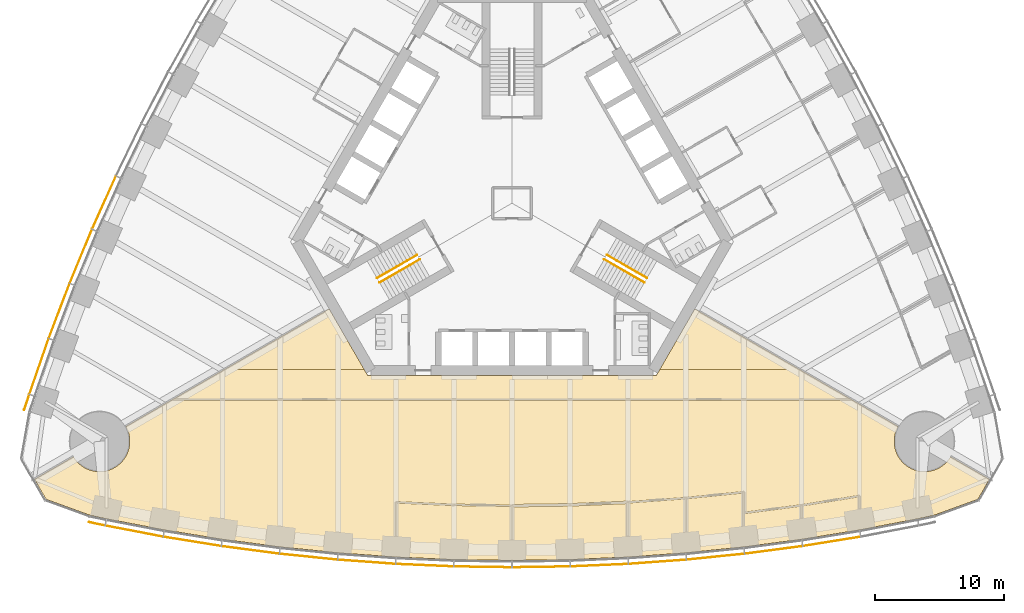
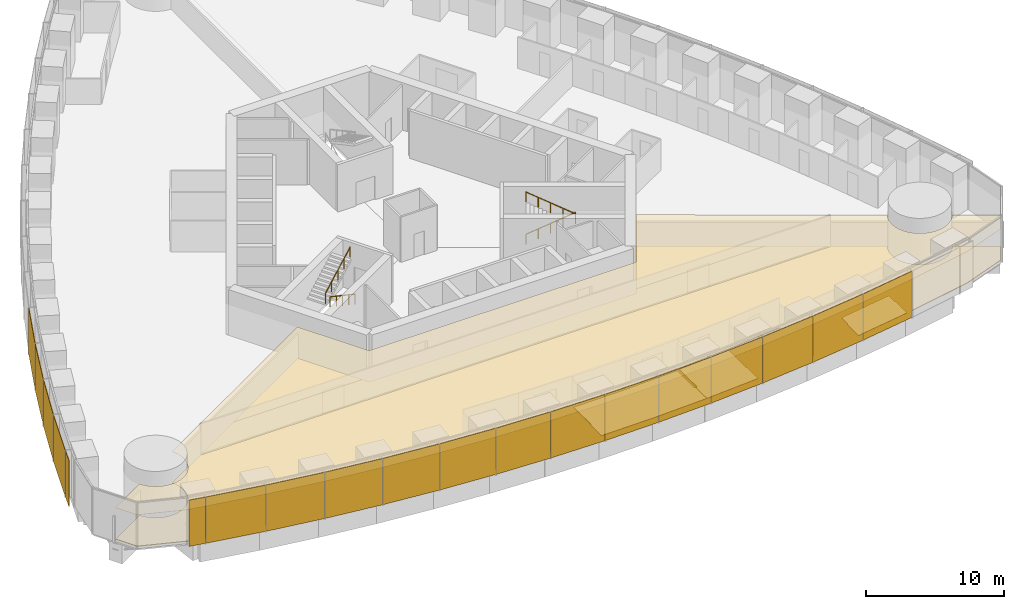
# One storey, part 15 of 19: 19 shading devices, 11 coverings, 4 railings.
"""IFC4 building model written with IfcOpenShell, lengths in metres."""

from ifc_helpers import new_model, si_unit, direction, frame, origin, origin_2d, place, context, subcontext, project, spatial, polyline, rectangle, circle, outline, extrude, material, layer, layer_set, type_object, element, save


model = new_model("IFC4")

# Units and contexts
model_context = context("Model", 3, precision=1e-05, world=origin(), true_north=direction((0.0, 1.0)))
body_context = subcontext(model_context, "Body", "Model", "MODEL_VIEW")
ifc_project = project(units=[si_unit("LENGTHUNIT", "METRE"), si_unit("AREAUNIT", "SQUARE_METRE"), si_unit("VOLUMEUNIT", "CUBIC_METRE"), si_unit("PLANEANGLEUNIT", "RADIAN"), si_unit("MASSUNIT", "GRAM", prefix="KILO")], contexts=[model_context])

# Site, building, storey
site_placement = place(None, origin())
site = spatial("IfcSite", under=ifc_project, at=site_placement, CompositionType="ELEMENT")
building_placement = place(site_placement, origin())
building = spatial("IfcBuilding", under=site, at=building_placement, Name="Trefoil Bronze Tower", CompositionType="ELEMENT")
storey_placement = place(building_placement, frame((0.0, 0.0, 83.699951171875)))
storey = spatial("IfcBuildingStorey", under=building, at=storey_placement, Name="L19", CompositionType="ELEMENT", Elevation=83.699951171875)

# Shading devices
ifc_material_1 = material(Name="Perforated bronze sheet", Category="bronze")
ifc_layer_1 = layer(ifc_material_1, 0.0400390625)
ifc_layer_set_1 = layer_set([ifc_layer_1], Name="Bronze solar screen panel")
shading_device_type = type_object("IfcShadingDeviceType", Name="Bronze solar screen panel", PredefinedType="SHUTTER", material=ifc_layer_set_1)
shading_device_1_placement = place(storey_placement, frame((-32.2431640625, -24.91064453125, 0.050048828125), z_axis=(0.0, 0.0, 1.0), x_axis=(0.978302717041, -0.207180582657, 0.0)))
element("IfcShadingDevice", 1, at=shading_device_1_placement, inside=storey, type_object=shading_device_type, Name="Solar screen CW-A L19 F1 bay 1", PredefinedType="SHUTTER", context=body_context, shape_type="SweptSolid", body=[
    extrude(rectangle(XDim=1.260498046875, YDim=0.0400390625, at=origin_2d()), origin(), (0.0, 0.0, 1.0), 4.10009765625),
])
shading_device_2_placement = place(storey_placement, frame((-29.351806640625, -25.478515625, 0.050048828125), z_axis=(0.0, 0.0, 1.0), x_axis=(0.982049823817, -0.188621694249, 0.0)))
element("IfcShadingDevice", 2, at=shading_device_2_placement, inside=storey, type_object=shading_device_type, Name="Solar screen CW-A L19 F1 bay 2", PredefinedType="SHUTTER", context=body_context, shape_type="SweptSolid", body=[
    extrude(rectangle(XDim=4.55224609375, YDim=0.0400390625, at=origin_2d()), origin(), (0.0, 0.0, 1.0), 4.10009765625),
])
shading_device_3_placement = place(storey_placement, frame((-24.836181640625, -26.277099609375, 0.050048828125), z_axis=(0.0, 0.0, 1.0), x_axis=(0.987181315145, -0.159602791421, 0.0)))
element("IfcShadingDevice", 3, at=shading_device_3_placement, inside=storey, type_object=shading_device_type, Name="Solar screen CW-A L19 F1 bay 3", PredefinedType="SHUTTER", context=body_context, shape_type="SweptSolid", body=[
    extrude(rectangle(XDim=4.5283203125, YDim=0.0400390625, at=origin_2d()), origin(), (0.0, 0.0, 1.0), 4.10009765625),
])
shading_device_4_placement = place(storey_placement, frame((-20.320556640625, -26.939697265625, 0.050048828125), z_axis=(0.0, 0.0, 1.0), x_axis=(0.991437251591, -0.130583981243, 0.0)))
element("IfcShadingDevice", 4, at=shading_device_4_placement, inside=storey, type_object=shading_device_type, Name="Solar screen CW-A L19 F1 bay 4", PredefinedType="SHUTTER", context=body_context, shape_type="SweptSolid", body=[
    extrude(rectangle(XDim=4.5087890625, YDim=0.0400390625, at=origin_2d()), origin(), (0.0, 0.0, 1.0), 4.10009765625),
])
shading_device_5_placement = place(storey_placement, frame((-15.804931640625, -27.467529296875, 0.050048828125), z_axis=(0.0, 0.0, 1.0), x_axis=(0.994828880293, -0.101565244717, 0.0)))
element("IfcShadingDevice", 5, at=shading_device_5_placement, inside=storey, type_object=shading_device_type, Name="Solar screen CW-A L19 F1 bay 5", PredefinedType="SHUTTER", context=body_context, shape_type="SweptSolid", body=[
    extrude(rectangle(XDim=4.493408203125, YDim=0.0400390625, at=origin_2d()), origin(), (0.0, 0.0, 1.0), 4.10009765625),
])
shading_device_6_placement = place(storey_placement, frame((-11.2890625, -27.8623046875, 0.050048828125), z_axis=(0.0, 0.0, 1.0), x_axis=(0.99736502647, -0.072546564177, 0.0)))
element("IfcShadingDevice", 6, at=shading_device_6_placement, inside=storey, type_object=shading_device_type, Name="Solar screen CW-A L19 F1 bay 6", PredefinedType="SHUTTER", context=body_context, shape_type="SweptSolid", body=[
    extrude(rectangle(XDim=4.48193359375, YDim=0.0400390625, at=origin_2d()), origin(), (0.0, 0.0, 1.0), 4.10009765625),
])
shading_device_7_placement = place(storey_placement, frame((-6.7734375, -28.124755859375, 0.050048828125), z_axis=(0.0, 0.0, 1.0), x_axis=(0.999052210809, -0.043527922969, 0.0)))
element("IfcShadingDevice", 7, at=shading_device_7_placement, inside=storey, type_object=shading_device_type, Name="Solar screen CW-A L19 F1 bay 7", PredefinedType="SHUTTER", context=body_context, shape_type="SweptSolid", body=[
    extrude(rectangle(XDim=4.474365234375, YDim=0.0400390625, at=origin_2d()), origin(), (0.0, 0.0, 1.0), 4.10009765625),
])
for number, where, z_axis, x_axis, name in (
    (8, (-2.2578125, -28.256103515625, 0.050048828125), (0.0, 0.0, 1.0), (0.999894734493, -0.014509305083, 0.0), "Solar screen CW-A L19 F1 bay 8"),
    (9, (2.2578125, -28.256103515625, 0.050048828125), (0.0, 0.0, 1.0), (0.999894734493, 0.014509305083, 0.0), "Solar screen CW-A L19 F1 bay 9"),
):
    element("IfcShadingDevice", number, at=place(storey_placement, frame(where, z_axis=z_axis, x_axis=x_axis)), inside=storey, type_object=shading_device_type, Name=name, PredefinedType="SHUTTER", context=body_context, shape_type="SweptSolid", body=[
        extrude(rectangle(XDim=4.470458984375, YDim=0.0400390625, at=origin_2d()), origin(), (0.0, 0.0, 1.0), 4.10009765625),
    ])
shading_device_8_placement = place(storey_placement, frame((6.7734375, -28.124755859375, 0.050048828125), z_axis=(0.0, 0.0, 1.0), x_axis=(0.999052210809, 0.043527922969, 0.0)))
element("IfcShadingDevice", 10, at=shading_device_8_placement, inside=storey, type_object=shading_device_type, Name="Solar screen CW-A L19 F1 bay 10", PredefinedType="SHUTTER", context=body_context, shape_type="SweptSolid", body=[
    extrude(rectangle(XDim=4.474365234375, YDim=0.0400390625, at=origin_2d()), origin(), (0.0, 0.0, 1.0), 4.10009765625),
])
shading_device_9_placement = place(storey_placement, frame((11.2890625, -27.8623046875, 0.050048828125), z_axis=(0.0, 0.0, 1.0), x_axis=(0.99736502647, 0.072546564177, 0.0)))
element("IfcShadingDevice", 11, at=shading_device_9_placement, inside=storey, type_object=shading_device_type, Name="Solar screen CW-A L19 F1 bay 11", PredefinedType="SHUTTER", context=body_context, shape_type="SweptSolid", body=[
    extrude(rectangle(XDim=4.48193359375, YDim=0.0400390625, at=origin_2d()), origin(), (0.0, 0.0, 1.0), 4.10009765625),
])
shading_device_10_placement = place(storey_placement, frame((15.804931640625, -27.467529296875, 0.050048828125), z_axis=(0.0, 0.0, 1.0), x_axis=(0.994828880293, 0.101565244717, 0.0)))
element("IfcShadingDevice", 12, at=shading_device_10_placement, inside=storey, type_object=shading_device_type, Name="Solar screen CW-A L19 F1 bay 12", PredefinedType="SHUTTER", context=body_context, shape_type="SweptSolid", body=[
    extrude(rectangle(XDim=4.493408203125, YDim=0.0400390625, at=origin_2d()), origin(), (0.0, 0.0, 1.0), 4.10009765625),
])
shading_device_11_placement = place(storey_placement, frame((20.320556640625, -26.939697265625, 0.050048828125), z_axis=(0.0, 0.0, 1.0), x_axis=(0.991437251591, 0.130583981243, 0.0)))
element("IfcShadingDevice", 13, at=shading_device_11_placement, inside=storey, type_object=shading_device_type, Name="Solar screen CW-A L19 F1 bay 13", PredefinedType="SHUTTER", context=body_context, shape_type="SweptSolid", body=[
    extrude(rectangle(XDim=4.5087890625, YDim=0.0400390625, at=origin_2d()), origin(), (0.0, 0.0, 1.0), 4.10009765625),
])
shading_device_12_placement = place(storey_placement, frame((24.836181640625, -26.277099609375, 0.050048828125), z_axis=(0.0, 0.0, 1.0), x_axis=(0.987181315145, 0.159602791421, 0.0)))
element("IfcShadingDevice", 14, at=shading_device_12_placement, inside=storey, type_object=shading_device_type, Name="Solar screen CW-A L19 F1 bay 14", PredefinedType="SHUTTER", context=body_context, shape_type="SweptSolid", body=[
    extrude(rectangle(XDim=4.5283203125, YDim=0.0400390625, at=origin_2d()), origin(), (0.0, 0.0, 1.0), 4.10009765625),
])
shading_device_13_placement = place(storey_placement, frame((-31.68994140625, 0.04638671875, 0.050048828125), z_axis=(0.0, 0.0, 1.0), x_axis=(-0.40945635808, -0.912329705111, 0.0)))
element("IfcShadingDevice", 15, at=shading_device_13_placement, inside=storey, type_object=shading_device_type, Name="Solar screen CW-A L19 F3 bay 12", PredefinedType="SHUTTER", context=body_context, shape_type="SweptSolid", body=[
    extrude(rectangle(XDim=4.493408203125, YDim=0.0400390625, at=origin_2d()), origin(), (0.0, 0.0, 1.0), 4.10009765625),
])
shading_device_14_placement = place(storey_placement, frame((-33.49072265625, -4.128173828125, 0.050048828125), z_axis=(0.0, 0.0, 1.0), x_axis=(-0.382629580712, -0.923901836758, 0.0)))
element("IfcShadingDevice", 16, at=shading_device_14_placement, inside=storey, type_object=shading_device_type, Name="Solar screen CW-A L19 F3 bay 13", PredefinedType="SHUTTER", context=body_context, shape_type="SweptSolid", body=[
    extrude(rectangle(XDim=4.5087890625, YDim=0.0400390625, at=origin_2d()), origin(), (0.0, 0.0, 1.0), 4.10009765625),
])
shading_device_15_placement = place(storey_placement, frame((-35.1748046875, -8.3701171875, 0.050048828125), z_axis=(0.0, 0.0, 1.0), x_axis=(-0.355370585687, -0.934725492767, 0.0)))
element("IfcShadingDevice", 17, at=shading_device_15_placement, inside=storey, type_object=shading_device_type, Name="Solar screen CW-A L19 F3 bay 14", PredefinedType="SHUTTER", context=body_context, shape_type="SweptSolid", body=[
    extrude(rectangle(XDim=4.5283203125, YDim=0.0400390625, at=origin_2d()), origin(), (0.0, 0.0, 1.0), 4.10009765625),
])
shading_device_16_placement = place(storey_placement, frame((-36.740966796875, -12.68017578125, 0.050048828125), z_axis=(0.0, 0.0, 1.0), x_axis=(-0.327673732984, -0.944790942332, 0.0)))
element("IfcShadingDevice", 18, at=shading_device_16_placement, inside=storey, type_object=shading_device_type, Name="Solar screen CW-A L19 F3 bay 15", PredefinedType="SHUTTER", context=body_context, shape_type="SweptSolid", body=[
    extrude(rectangle(XDim=4.55224609375, YDim=0.0400390625, at=origin_2d()), origin(), (0.0, 0.0, 1.0), 4.10009765625),
])
shading_device_17_placement = place(storey_placement, frame((-37.69482421875, -15.468017578125, 0.050048828125), z_axis=(0.0, 0.0, 1.0), x_axis=(-0.309727710769, -0.950825296877, 0.0)))
element("IfcShadingDevice", 19, at=shading_device_17_placement, inside=storey, type_object=shading_device_type, Name="Solar screen CW-A L19 F3 bay 16", PredefinedType="SHUTTER", context=body_context, shape_type="SweptSolid", body=[
    extrude(rectangle(XDim=1.260498046875, YDim=0.0400390625, at=origin_2d()), origin(), (0.0, 0.0, 1.0), 4.10009765625),
])

# Railings
ifc_material_2 = material(Name="Steel handrail", Category="steel")
railing_type = type_object("IfcRailingType", Name="Handrail 900", PredefinedType="HANDRAIL", material=ifc_material_2)
railing_1_placement = place(storey_placement, frame((7.365966796875, -4.021728515625, 0.16162109375)))
element("IfcRailing", 20, at=railing_1_placement, inside=storey, type_object=railing_type, Name="Handrail ST1 flight 1 L19", PredefinedType="HANDRAIL", context=body_context, shape_type="SweptSolid", body=[
    extrude(circle(Radius=0.02392578125, at=origin_2d()), frame((0.0, 0.0, 0.8759765625), z_axis=(0.76250339821, -0.440245697338, 0.474101564745), x_axis=(0.500012057535, 0.866018442252, 0.0)), (0.0, 0.0, 1.0), 4.088623046875),
    extrude(circle(Radius=0.02099609375, at=origin_2d()), origin(), (0.0, 0.0, 1.0), 0.851806640625),
    extrude(circle(Radius=0.02099609375, at=origin_2d()), frame((0.779296875, -0.449951171875, 0.484619140625)), (0.0, 0.0, 1.0), 0.851806640625),
    extrude(circle(Radius=0.02099609375, at=origin_2d()), frame((1.558837890625, -0.89990234375, 0.96923828125)), (0.0, 0.0, 1.0), 0.851806640625),
    extrude(circle(Radius=0.02099609375, at=origin_2d()), frame((2.33837890625, -1.35009765625, 1.453857421875)), (0.0, 0.0, 1.0), 0.851806640625),
    extrude(circle(Radius=0.02099609375, at=origin_2d()), frame((3.11767578125, -1.800048828125, 1.9384765625)), (0.0, 0.0, 1.0), 0.851806640625),
])
railing_2_placement = place(storey_placement, frame((10.28369140625, -6.168212890625, 2.261474609375)))
element("IfcRailing", 21, at=railing_2_placement, inside=storey, type_object=railing_type, Name="Handrail ST1 flight 2 L19", PredefinedType="HANDRAIL", context=body_context, shape_type="SweptSolid", body=[
    extrude(circle(Radius=0.02392578125, at=origin_2d()), frame((0.0, 0.0, 0.8759765625), z_axis=(-0.76250339821, 0.440245697338, 0.474101564745), x_axis=(-0.500012057535, -0.866018442252, 0.0)), (0.0, 0.0, 1.0), 4.088623046875),
    extrude(circle(Radius=0.02099609375, at=origin_2d()), origin(), (0.0, 0.0, 1.0), 0.851806640625),
    extrude(circle(Radius=0.02099609375, at=origin_2d()), frame((-0.779296875, 0.449951171875, 0.484619140625)), (0.0, 0.0, 1.0), 0.851806640625),
    extrude(circle(Radius=0.02099609375, at=origin_2d()), frame((-1.558837890625, 0.89990234375, 0.96923828125)), (0.0, 0.0, 1.0), 0.851806640625),
    extrude(circle(Radius=0.02099609375, at=origin_2d()), frame((-2.33837890625, 1.35009765625, 1.453857421875)), (0.0, 0.0, 1.0), 0.851806640625),
    extrude(circle(Radius=0.02099609375, at=origin_2d()), frame((-3.11767578125, 1.800048828125, 1.9384765625)), (0.0, 0.0, 1.0), 0.851806640625),
])
railing_3_placement = place(storey_placement, frame((-7.166015625, -4.3681640625, 0.16162109375)))
element("IfcRailing", 22, at=railing_3_placement, inside=storey, type_object=railing_type, Name="Handrail ST3 flight 1 L19", PredefinedType="HANDRAIL", context=body_context, shape_type="SweptSolid", body=[
    extrude(circle(Radius=0.02392578125, at=origin_2d()), frame((0.0, 0.0, 0.8759765625), z_axis=(-0.76250339821, -0.440245697338, 0.474101564745), x_axis=(0.500012057535, -0.866018442252, 0.0)), (0.0, 0.0, 1.0), 4.088623046875),
    extrude(circle(Radius=0.02099609375, at=origin_2d()), origin(), (0.0, 0.0, 1.0), 0.851806640625),
    extrude(circle(Radius=0.02099609375, at=origin_2d()), frame((-0.779296875, -0.449951171875, 0.484619140625)), (0.0, 0.0, 1.0), 0.851806640625),
    extrude(circle(Radius=0.02099609375, at=origin_2d()), frame((-1.558837890625, -0.89990234375, 0.96923828125)), (0.0, 0.0, 1.0), 0.851806640625),
    extrude(circle(Radius=0.02099609375, at=origin_2d()), frame((-2.33837890625, -1.35009765625, 1.453857421875)), (0.0, 0.0, 1.0), 0.851806640625),
    extrude(circle(Radius=0.02099609375, at=origin_2d()), frame((-3.11767578125, -1.800048828125, 1.9384765625)), (0.0, 0.0, 1.0), 0.851806640625),
])
railing_4_placement = place(storey_placement, frame((-10.483642578125, -5.82177734375, 2.261474609375)))
element("IfcRailing", 23, at=railing_4_placement, inside=storey, type_object=railing_type, Name="Handrail ST3 flight 2 L19", PredefinedType="HANDRAIL", context=body_context, shape_type="SweptSolid", body=[
    extrude(circle(Radius=0.02392578125, at=origin_2d()), frame((0.0, 0.0, 0.8759765625), z_axis=(0.76250339821, 0.440245697338, 0.474101564745), x_axis=(-0.500012057535, 0.866018442252, 0.0)), (0.0, 0.0, 1.0), 4.088623046875),
    extrude(circle(Radius=0.02099609375, at=origin_2d()), origin(), (0.0, 0.0, 1.0), 0.851806640625),
    extrude(circle(Radius=0.02099609375, at=origin_2d()), frame((0.779296875, 0.449951171875, 0.484619140625)), (0.0, 0.0, 1.0), 0.851806640625),
    extrude(circle(Radius=0.02099609375, at=origin_2d()), frame((1.558837890625, 0.89990234375, 0.96923828125)), (0.0, 0.0, 1.0), 0.851806640625),
    extrude(circle(Radius=0.02099609375, at=origin_2d()), frame((2.33837890625, 1.35009765625, 1.453857421875)), (0.0, 0.0, 1.0), 0.851806640625),
    extrude(circle(Radius=0.02099609375, at=origin_2d()), frame((3.11767578125, 1.800048828125, 1.9384765625)), (0.0, 0.0, 1.0), 0.851806640625),
])

# Coverings
ifc_material_3 = material(Name="Acoustic ceiling panels", Category="mineral fibre")
ifc_layer_2 = layer(ifc_material_3, 0.02001953125)
ifc_layer_set_2 = layer_set([ifc_layer_2], Name="Office ceiling 20")
covering_type_1 = type_object("IfcCoveringType", Name="Office ceiling 20", PredefinedType="CEILING", material=ifc_layer_set_2)
covering_1_placement = place(storey_placement, frame((0.0, 0.0, 2.900146484375)))
element("IfcCovering", 24, at=covering_1_placement, inside=storey, type_object=covering_type_1, Name="Ceiling L19 Open-plan office F1", PredefinedType="CEILING", context=body_context, shape_type="SweptSolid", body=[
    extrude(outline(polyline([(-33.996826171875, -19.8056640625), (-33.930419921875, -19.89990234375), (-33.859619140625, -19.99072265625), (-33.7841796875, -20.078125), (-33.70458984375, -20.16162109375), (-33.62109375, -20.2412109375), (-33.53369140625, -20.316650390625), (-33.44287109375, -20.387451171875), (-33.348388671875, -20.4541015625), (-33.251220703125, -20.515625), (-33.150634765625, -20.572509765625), (-33.047607421875, -20.62451171875), (-32.942138671875, -20.671142578125), (-32.834716796875, -20.712646484375), (-32.72509765625, -20.748779296875), (-32.614013671875, -20.779541015625), (-32.50146484375, -20.8046875), (-32.3876953125, -20.82470703125), (-32.273193359375, -20.838623046875), (-32.158203125, -20.84716796875), (-32.04296875, -20.85009765625), (-31.927490234375, -20.84716796875), (-31.8125, -20.838623046875), (-31.697998046875, -20.82470703125), (-31.58447265625, -20.8046875), (-31.471923828125, -20.779541015625), (-31.36083984375, -20.748779296875), (-31.251220703125, -20.712646484375), (-31.1435546875, -20.671142578125), (-31.0380859375, -20.62451171875), (-30.935302734375, -20.572509765625), (-30.834716796875, -20.515625), (-30.7373046875, -20.4541015625), (-30.64306640625, -20.387451171875), (-30.552001953125, -20.316650390625), (-30.46484375, -20.2412109375), (-30.381103515625, -20.16162109375), (-30.3017578125, -20.078125), (-30.226318359375, -19.99072265625), (-30.155517578125, -19.89990234375), (-30.089111328125, -19.8056640625), (-30.02734375, -19.7080078125), (-29.970458984375, -19.60791015625), (-29.918701171875, -19.5048828125), (-29.871826171875, -19.3994140625), (-29.830322265625, -19.291748046875), (-29.794189453125, -19.18212890625), (-29.763427734375, -19.071044921875), (-29.738037109375, -18.95849609375), (-29.718505859375, -18.8447265625), (-29.704345703125, -18.730224609375), (-29.69580078125, -18.615234375), (-29.69287109375, -18.5), (-29.69580078125, -18.384765625), (-29.704345703125, -18.269775390625), (-29.718505859375, -18.1552734375), (-29.738037109375, -18.04150390625), (-29.763427734375, -17.928955078125), (-29.794189453125, -17.81787109375), (-29.830322265625, -17.708251953125), (-29.871826171875, -17.6005859375), (-29.918701171875, -17.4951171875), (-29.970458984375, -17.39208984375), (-30.001953125, -17.336669921875), (-14.19970703125, -8.205322265625), (-11.20068359375, -13.39990234375), (11.20068359375, -13.39990234375), (14.19970703125, -8.205322265625), (30.001953125, -17.336669921875), (29.970458984375, -17.39208984375), (29.918701171875, -17.4951171875), (29.871826171875, -17.6005859375), (29.830322265625, -17.708251953125), (29.794189453125, -17.81787109375), (29.763427734375, -17.928955078125), (29.738037109375, -18.04150390625), (29.718505859375, -18.1552734375), (29.704345703125, -18.269775390625), (29.69580078125, -18.384765625), (29.69287109375, -18.5), (29.69580078125, -18.615234375), (29.704345703125, -18.730224609375), (29.718505859375, -18.8447265625), (29.738037109375, -18.95849609375), (29.763427734375, -19.071044921875), (29.794189453125, -19.18212890625), (29.830322265625, -19.291748046875), (29.871826171875, -19.3994140625), (29.918701171875, -19.5048828125), (29.970458984375, -19.60791015625), (30.02734375, -19.7080078125), (30.089111328125, -19.8056640625), (30.155517578125, -19.89990234375), (30.226318359375, -19.99072265625), (30.3017578125, -20.078125), (30.381103515625, -20.16162109375), (30.46484375, -20.2412109375), (30.552001953125, -20.316650390625), (30.64306640625, -20.387451171875), (30.7373046875, -20.4541015625), (30.834716796875, -20.515625), (30.935302734375, -20.572509765625), (31.0380859375, -20.62451171875), (31.1435546875, -20.671142578125), (31.251220703125, -20.712646484375), (31.36083984375, -20.748779296875), (31.471923828125, -20.779541015625), (31.58447265625, -20.8046875), (31.697998046875, -20.82470703125), (31.8125, -20.838623046875), (31.927490234375, -20.84716796875), (32.04296875, -20.85009765625), (32.158203125, -20.84716796875), (32.273193359375, -20.838623046875), (32.3876953125, -20.82470703125), (32.50146484375, -20.8046875), (32.614013671875, -20.779541015625), (32.72509765625, -20.748779296875), (32.834716796875, -20.712646484375), (32.942138671875, -20.671142578125), (33.047607421875, -20.62451171875), (33.150634765625, -20.572509765625), (33.251220703125, -20.515625), (33.348388671875, -20.4541015625), (33.44287109375, -20.387451171875), (33.53369140625, -20.316650390625), (33.62109375, -20.2412109375), (33.70458984375, -20.16162109375), (33.7841796875, -20.078125), (33.859619140625, -19.99072265625), (33.930419921875, -19.89990234375), (33.996826171875, -19.8056640625), (34.0703125, -19.6875), (37.094482421875, -21.43505859375), (36.190673828125, -23.0009765625), (32.762451171875, -24.248779296875), (31.5, -24.51611328125), (27.0, -25.38037109375), (22.5, -26.10791015625), (18.0, -26.70068359375), (13.5, -27.159912109375), (9.0, -27.4873046875), (4.5, -27.683349609375), (0.0, -27.748779296875), (-4.5, -27.683349609375), (-9.0, -27.4873046875), (-13.5, -27.159912109375), (-18.0, -26.70068359375), (-22.5, -26.10791015625), (-27.0, -25.38037109375), (-31.5, -24.51611328125), (-32.762451171875, -24.248779296875), (-36.190673828125, -23.0009765625), (-37.094482421875, -21.43505859375), (-34.0703125, -19.6875), (-33.996826171875, -19.8056640625)])), origin(), (0.0, 0.0, 1.0), 0.02001953125),
])
ifc_material_4 = material(Name="Raised access floor panels", Category="steel")
ifc_layer_3 = layer(ifc_material_4, 0.050048828125)
ifc_layer_set_3 = layer_set([ifc_layer_3], Name="Raised access floor 150")
covering_type_2 = type_object("IfcCoveringType", Name="Raised access floor 150", PredefinedType="FLOORING", material=ifc_layer_set_3)
covering_2_placement = place(storey_placement, frame((0.0, 0.0, 0.10009765625)))
element("IfcCovering", 25, at=covering_2_placement, inside=storey, type_object=covering_type_2, Name="Raised floor L19 Kitchen and breakout F1", PredefinedType="FLOORING", context=body_context, shape_type="SweptSolid", body=[
    extrude(outline(polyline([(-4.5, -27.683349609375), (-9.0, -27.4873046875), (-9.0, -25.8544921875), (-8.93994140625, -25.8544921875), (-8.93994140625, -23.300048828125), (-4.502685546875, -23.493408203125), (-4.5, -23.433349609375), (-4.5009765625, -23.493408203125), (-0.06005859375, -23.557861328125), (-0.06005859375, -26.11865234375), (0.0, -26.11865234375), (0.0, -27.748779296875), (-4.5, -27.683349609375)])), origin(), (0.0, 0.0, 1.0), 0.050048828125),
])
covering_3_placement = place(storey_placement, frame((0.0, 0.0, 0.10009765625)))
element("IfcCovering", 26, at=covering_3_placement, inside=storey, type_object=covering_type_2, Name="Raised floor L19 Boardroom F1", PredefinedType="FLOORING", context=body_context, shape_type="SweptSolid", body=[
    extrude(outline(polyline([(4.5, -27.683349609375), (0.0, -27.748779296875), (0.0, -26.11865234375), (0.06005859375, -26.11865234375), (0.06005859375, -23.597900390625), (4.50146484375, -23.533447265625), (4.5, -23.433349609375), (4.50439453125, -23.533203125), (8.89990234375, -23.341796875), (8.89990234375, -25.8544921875), (9.0, -25.8544921875), (9.0, -27.4873046875), (4.5, -27.683349609375)])), origin(), (0.0, 0.0, 1.0), 0.050048828125),
])
covering_4_placement = place(storey_placement, frame((0.0, 0.0, 0.10009765625)))
element("IfcCovering", 27, at=covering_4_placement, inside=storey, type_object=covering_type_2, Name="Raised floor L19 Meeting room F1", PredefinedType="FLOORING", context=body_context, shape_type="SweptSolid", body=[
    extrude(outline(polyline([(13.5, -27.159912109375), (9.0, -27.4873046875), (9.0, -25.8544921875), (9.10009765625, -25.8544921875), (9.10009765625, -23.290283203125), (13.43994140625, -22.974609375), (13.43994140625, -25.52392578125), (13.5, -25.52392578125), (13.5, -27.159912109375)])), origin(), (0.0, 0.0, 1.0), 0.050048828125),
])
covering_5_placement = place(storey_placement, frame((0.0, 0.0, 0.10009765625)))
element("IfcCovering", 28, at=covering_5_placement, inside=storey, type_object=covering_type_2, Name="Raised floor L19 Meeting room F1", PredefinedType="FLOORING", context=body_context, shape_type="SweptSolid", body=[
    extrude(outline(polyline([(18.0, -26.70068359375), (13.5, -27.159912109375), (13.5, -25.52392578125), (13.56005859375, -25.52392578125), (13.56005859375, -22.964111328125), (17.93994140625, -22.51708984375), (17.93994140625, -25.0595703125), (18.0, -25.0595703125), (18.0, -26.70068359375)])), origin(), (0.0, 0.0, 1.0), 0.050048828125),
])
covering_6_placement = place(storey_placement, frame((0.0, 0.0, 0.10009765625)))
element("IfcCovering", 29, at=covering_6_placement, inside=storey, type_object=covering_type_2, Name="Raised floor L19 Comms room F1", PredefinedType="FLOORING", context=body_context, shape_type="SweptSolid", body=[
    extrude(outline(polyline([(22.5, -26.10791015625), (18.0, -26.70068359375), (18.0, -25.0595703125), (18.06005859375, -25.0595703125), (18.06005859375, -24.1181640625), (22.43994140625, -23.541259765625), (22.43994140625, -24.460693359375), (22.5, -24.460693359375), (22.5, -26.10791015625)])), origin(), (0.0, 0.0, 1.0), 0.050048828125),
])
covering_7_placement = place(storey_placement, frame((0.0, 0.0, 0.10009765625)))
element("IfcCovering", 30, at=covering_7_placement, inside=storey, type_object=covering_type_2, Name="Raised floor L19 Print and store room F1", PredefinedType="FLOORING", context=body_context, shape_type="SweptSolid", body=[
    extrude(outline(polyline([(27.0, -25.38037109375), (22.5, -26.10791015625), (22.5, -24.460693359375), (22.56005859375, -24.460693359375), (22.56005859375, -23.52392578125), (26.93994140625, -22.81591796875), (26.93994140625, -23.72509765625), (27.0, -23.72509765625), (27.0, -25.38037109375)])), origin(), (0.0, 0.0, 1.0), 0.050048828125),
])
covering_8_placement = place(storey_placement, frame((0.0, 0.0, 0.10009765625)))
element("IfcCovering", 31, at=covering_8_placement, inside=storey, type_object=covering_type_2, Name="Raised floor L19 Corridor F1", PredefinedType="FLOORING", context=body_context, shape_type="SweptSolid", body=[
    extrude(outline(polyline([(-26.304443359375, -15.199951171875), (-22.32421875, -12.89990234375), (-11.4892578125, -12.89990234375), (-11.20068359375, -13.39990234375), (11.20068359375, -13.39990234375), (11.4892578125, -12.89990234375), (22.32421875, -12.89990234375), (26.304443359375, -15.199951171875), (-26.304443359375, -15.199951171875)])), origin(), (0.0, 0.0, 1.0), 0.050048828125),
])
covering_9_placement = place(storey_placement, frame((0.0, 0.0, 0.10009765625)))
element("IfcCovering", 32, at=covering_9_placement, inside=storey, type_object=covering_type_2, Name="Raised floor L19 Open-plan office F1", PredefinedType="FLOORING", context=body_context, shape_type="SweptSolid", body=[
    extrude(outline(polyline([(-22.32421875, -12.89990234375), (-14.19970703125, -8.205322265625), (-11.4892578125, -12.89990234375), (-22.32421875, -12.89990234375)])), origin(), (0.0, 0.0, 1.0), 0.050048828125),
])
covering_10_placement = place(storey_placement, frame((0.0, 0.0, 0.10009765625)))
element("IfcCovering", 33, at=covering_10_placement, inside=storey, type_object=covering_type_2, Name="Raised floor L19 Open-plan office F1", PredefinedType="FLOORING", context=body_context, shape_type="SweptSolid", body=[
    extrude(outline(polyline([(-26.398193359375, -15.254150390625), (-26.398193359375, -15.320068359375), (26.398193359375, -15.320068359375), (26.398193359375, -15.254150390625), (30.001953125, -17.336669921875), (29.970458984375, -17.39208984375), (29.918701171875, -17.4951171875), (29.871826171875, -17.6005859375), (29.830322265625, -17.708251953125), (29.794189453125, -17.81787109375), (29.763427734375, -17.928955078125), (29.738037109375, -18.04150390625), (29.718505859375, -18.1552734375), (29.704345703125, -18.269775390625), (29.69580078125, -18.384765625), (29.69287109375, -18.5), (29.69580078125, -18.615234375), (29.704345703125, -18.730224609375), (29.718505859375, -18.8447265625), (29.738037109375, -18.95849609375), (29.763427734375, -19.071044921875), (29.794189453125, -19.18212890625), (29.830322265625, -19.291748046875), (29.871826171875, -19.3994140625), (29.918701171875, -19.5048828125), (29.970458984375, -19.60791015625), (30.02734375, -19.7080078125), (30.089111328125, -19.8056640625), (30.155517578125, -19.89990234375), (30.226318359375, -19.99072265625), (30.3017578125, -20.078125), (30.381103515625, -20.16162109375), (30.46484375, -20.2412109375), (30.552001953125, -20.316650390625), (30.64306640625, -20.387451171875), (30.7373046875, -20.4541015625), (30.834716796875, -20.515625), (30.935302734375, -20.572509765625), (31.0380859375, -20.62451171875), (31.1435546875, -20.671142578125), (31.251220703125, -20.712646484375), (31.36083984375, -20.748779296875), (31.471923828125, -20.779541015625), (31.58447265625, -20.8046875), (31.697998046875, -20.82470703125), (31.8125, -20.838623046875), (31.927490234375, -20.84716796875), (32.04296875, -20.85009765625), (32.158203125, -20.84716796875), (32.273193359375, -20.838623046875), (32.3876953125, -20.82470703125), (32.50146484375, -20.8046875), (32.614013671875, -20.779541015625), (32.72509765625, -20.748779296875), (32.834716796875, -20.712646484375), (32.942138671875, -20.671142578125), (33.047607421875, -20.62451171875), (33.150634765625, -20.572509765625), (33.251220703125, -20.515625), (33.348388671875, -20.4541015625), (33.44287109375, -20.387451171875), (33.53369140625, -20.316650390625), (33.62109375, -20.2412109375), (33.70458984375, -20.16162109375), (33.7841796875, -20.078125), (33.859619140625, -19.99072265625), (33.930419921875, -19.89990234375), (33.996826171875, -19.8056640625), (34.0703125, -19.6875), (37.094482421875, -21.43505859375), (36.190673828125, -23.0009765625), (32.762451171875, -24.248779296875), (31.5, -24.51611328125), (27.0, -25.38037109375), (27.0, -23.72509765625), (27.06005859375, -23.72509765625), (27.06005859375, -22.745361328125), (27.0, -22.745361328125), (26.990478515625, -22.68603515625), (22.4912109375, -23.41357421875), (18.06005859375, -23.997314453125), (18.06005859375, -22.45068359375), (18.0, -22.45068359375), (17.993896484375, -22.390869140625), (13.494873046875, -22.850341796875), (8.997314453125, -23.177490234375), (8.99560546875, -23.137451171875), (4.4970703125, -23.33349609375), (-0.00146484375, -23.398681640625), (-0.0009765625, -23.438720703125), (-4.130126953125, -23.37890625), (-4.866455078125, -23.357421875), (-8.997314453125, -23.177490234375), (-9.0, -23.2373046875), (-9.06005859375, -23.2373046875), (-9.06005859375, -25.8544921875), (-9.0, -25.8544921875), (-9.0, -27.4873046875), (-13.5, -27.159912109375), (-18.0, -26.70068359375), (-22.5, -26.10791015625), (-27.0, -25.38037109375), (-31.5, -24.51611328125), (-32.762451171875, -24.248779296875), (-36.190673828125, -23.0009765625), (-37.094482421875, -21.43505859375), (-34.0703125, -19.6875), (-33.996826171875, -19.8056640625), (-33.930419921875, -19.89990234375), (-33.859619140625, -19.99072265625), (-33.7841796875, -20.078125), (-33.70458984375, -20.16162109375), (-33.62109375, -20.2412109375), (-33.53369140625, -20.316650390625), (-33.44287109375, -20.387451171875), (-33.348388671875, -20.4541015625), (-33.251220703125, -20.515625), (-33.150634765625, -20.572509765625), (-33.047607421875, -20.62451171875), (-32.942138671875, -20.671142578125), (-32.834716796875, -20.712646484375), (-32.72509765625, -20.748779296875), (-32.614013671875, -20.779541015625), (-32.50146484375, -20.8046875), (-32.3876953125, -20.82470703125), (-32.273193359375, -20.838623046875), (-32.158203125, -20.84716796875), (-32.04296875, -20.85009765625), (-31.927490234375, -20.84716796875), (-31.8125, -20.838623046875), (-31.697998046875, -20.82470703125), (-31.58447265625, -20.8046875), (-31.471923828125, -20.779541015625), (-31.36083984375, -20.748779296875), (-31.251220703125, -20.712646484375), (-31.1435546875, -20.671142578125), (-31.0380859375, -20.62451171875), (-30.935302734375, -20.572509765625), (-30.834716796875, -20.515625), (-30.7373046875, -20.4541015625), (-30.64306640625, -20.387451171875), (-30.552001953125, -20.316650390625), (-30.46484375, -20.2412109375), (-30.381103515625, -20.16162109375), (-30.3017578125, -20.078125), (-30.226318359375, -19.99072265625), (-30.155517578125, -19.89990234375), (-30.089111328125, -19.8056640625), (-30.02734375, -19.7080078125), (-29.970458984375, -19.60791015625), (-29.918701171875, -19.5048828125), (-29.871826171875, -19.3994140625), (-29.830322265625, -19.291748046875), (-29.794189453125, -19.18212890625), (-29.763427734375, -19.071044921875), (-29.738037109375, -18.95849609375), (-29.718505859375, -18.8447265625), (-29.704345703125, -18.730224609375), (-29.69580078125, -18.615234375), (-29.69287109375, -18.5), (-29.69580078125, -18.384765625), (-29.704345703125, -18.269775390625), (-29.718505859375, -18.1552734375), (-29.738037109375, -18.04150390625), (-29.763427734375, -17.928955078125), (-29.794189453125, -17.81787109375), (-29.830322265625, -17.708251953125), (-29.871826171875, -17.6005859375), (-29.918701171875, -17.4951171875), (-29.970458984375, -17.39208984375), (-30.001953125, -17.336669921875), (-26.398193359375, -15.254150390625)])), origin(), (0.0, 0.0, 1.0), 0.050048828125),
])
covering_11_placement = place(storey_placement, frame((0.0, 0.0, 0.10009765625)))
element("IfcCovering", 34, at=covering_11_placement, inside=storey, type_object=covering_type_2, Name="Raised floor L19 Open-plan office F1", PredefinedType="FLOORING", context=body_context, shape_type="SweptSolid", body=[
    extrude(outline(polyline([(14.19970703125, -8.205322265625), (22.32421875, -12.89990234375), (11.4892578125, -12.89990234375), (14.19970703125, -8.205322265625)])), origin(), (0.0, 0.0, 1.0), 0.050048828125),
])

save(model, "model.ifc")
